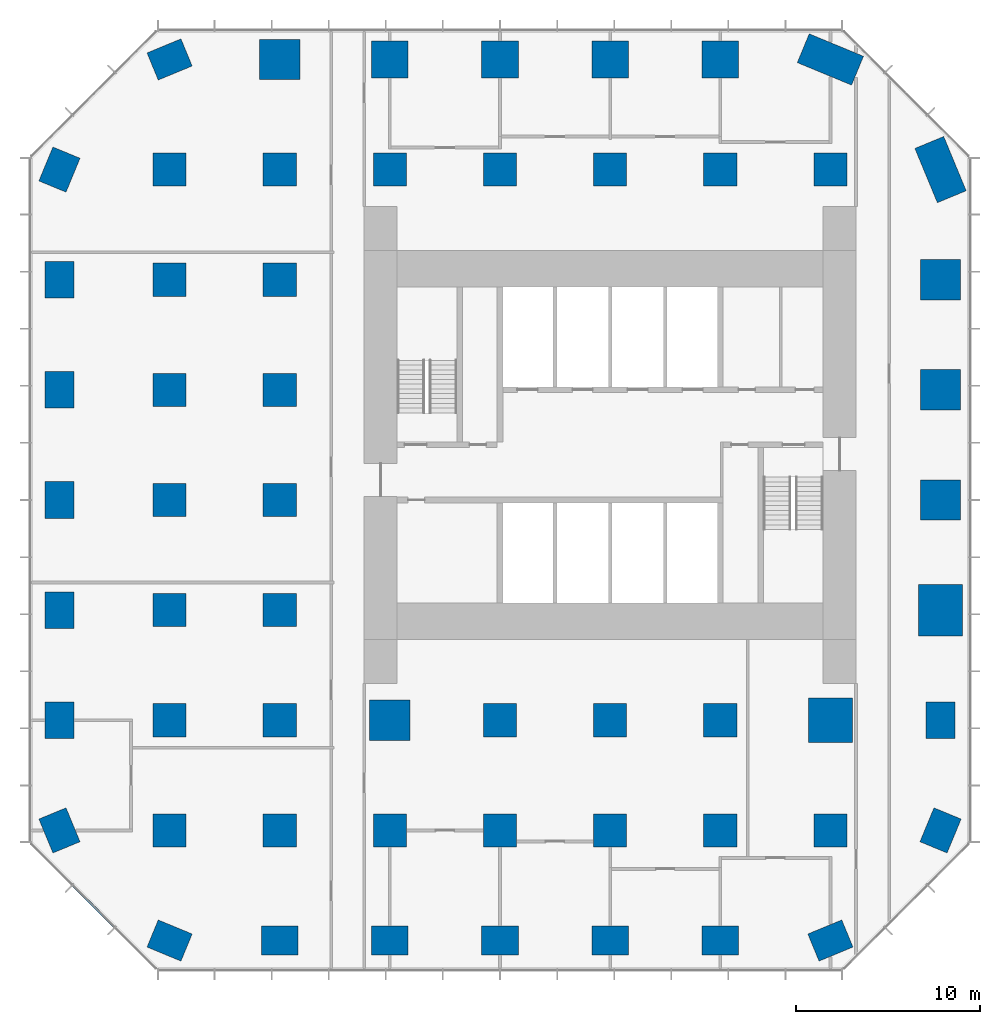
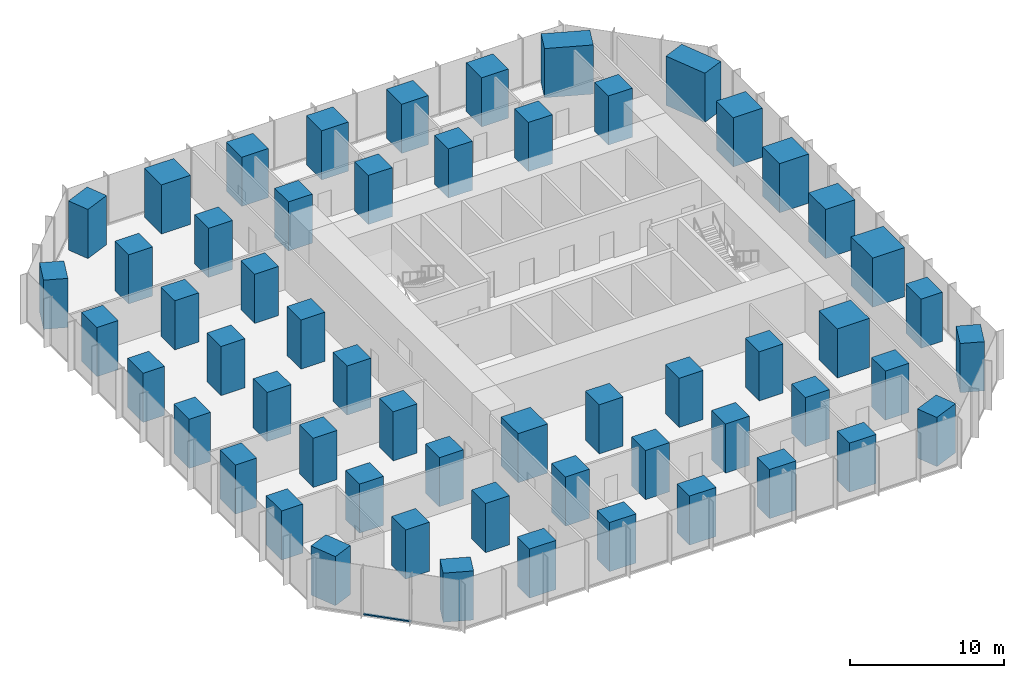
# One storey, part 1 of 11: 57 columns, 1 member, 1 element without a shape of its own.
"""IFC4 building model written with IfcOpenShell, lengths in metres."""

from ifc_helpers import new_model, si_unit, direction, frame, origin, origin_2d, place, context, subcontext, project, spatial, rectangle, extrude, material, layer, layer_set, material_profile, profile_set, type_object, element, aggregate, save


model = new_model("IFC4")

# Units and contexts
model_context = context("Model", 3, precision=1e-05, world=origin(), true_north=direction((0.0, 1.0)))
body_context = subcontext(model_context, "Body", "Model", "MODEL_VIEW")
ifc_project = project(units=[si_unit("LENGTHUNIT", "METRE"), si_unit("AREAUNIT", "SQUARE_METRE"), si_unit("VOLUMEUNIT", "CUBIC_METRE"), si_unit("PLANEANGLEUNIT", "RADIAN"), si_unit("MASSUNIT", "GRAM", prefix="KILO")], contexts=[model_context])

# Site, building, storey
site_placement = place(None, origin())
site = spatial("IfcSite", under=ifc_project, at=site_placement, CompositionType="ELEMENT")
building_placement = place(site_placement, origin())
building = spatial("IfcBuilding", under=site, at=building_placement, Name="Highveld Stack Headquarters", CompositionType="ELEMENT")
storey_placement = place(building_placement, frame((0.0, 0.0, 33.800048828125)))
storey = spatial("IfcBuildingStorey", under=building, at=storey_placement, Name="L07", CompositionType="ELEMENT", Elevation=33.800048828125)

# Columns
ifc_material_1 = material(Name="Concrete C60/75", Category="concrete")
ifc_material_profile_1 = material_profile(ifc_material_1, rectangle(XDim=1.800048828125, YDim=1.800048828125, at=origin_2d()), Name="RC 1800x1800")
ifc_profile_set_1 = profile_set([ifc_material_profile_1], Name="Concrete C60/75")
column_type_1 = type_object("IfcColumnType", Name="COLUMN RC 1800x1800 C60/75", PredefinedType="COLUMN", material=ifc_profile_set_1)
for number, where, z_axis, x_axis, name in (
    (1, (-18.0, -18.0, 0.0), (0.0, 0.0, 1.0), (1.0, 0.0, 0.0), "Column 3/B L07"),
    (2, (-18.0, -12.0, 0.0), (0.0, 0.0, 1.0), (1.0, 0.0, 0.0), "Column 3/C L07"),
    (3, (-18.0, -6.0, 0.0), (0.0, 0.0, 1.0), (1.0, 0.0, 0.0), "Column 3/D L07"),
    (4, (-18.0, 0.0, 0.0), (0.0, 0.0, 1.0), (1.0, 0.0, 0.0), "Column 3/E L07"),
    (5, (-18.0, 6.0, 0.0), (0.0, 0.0, 1.0), (1.0, 0.0, 0.0), "Column 3/F L07"),
    (6, (-18.0, 12.0, 0.0), (0.0, 0.0, 1.0), (1.0, 0.0, 0.0), "Column 3/G L07"),
    (7, (-18.0, 18.0, 0.0), (0.0, 0.0, 1.0), (1.0, 0.0, 0.0), "Column 3/H L07"),
    (8, (-12.0, -18.0, 0.0), (0.0, 0.0, 1.0), (1.0, 0.0, 0.0), "Column 4/B L07"),
    (9, (-12.0, -12.0, 0.0), (0.0, 0.0, 1.0), (1.0, 0.0, 0.0), "Column 4/C L07"),
    (10, (-12.0, -6.0, 0.0), (0.0, 0.0, 1.0), (1.0, 0.0, 0.0), "Column 4/D L07"),
    (11, (-12.0, 0.0, 0.0), (0.0, 0.0, 1.0), (1.0, 0.0, 0.0), "Column 4/E L07"),
    (12, (-12.0, 6.0, 0.0), (0.0, 0.0, 1.0), (1.0, 0.0, 0.0), "Column 4/F L07"),
    (13, (-12.0, 12.0, 0.0), (0.0, 0.0, 1.0), (1.0, 0.0, 0.0), "Column 4/G L07"),
    (14, (-12.0, 18.0, 0.0), (0.0, 0.0, 1.0), (1.0, 0.0, 0.0), "Column 4/H L07"),
    (15, (-6.0, -18.0, 0.0), (0.0, 0.0, 1.0), (1.0, 0.0, 0.0), "Column 5/B L07"),
    (16, (-6.0, 18.0, 0.0), (0.0, 0.0, 1.0), (1.0, 0.0, 0.0), "Column 5/H L07"),
    (17, (0.0, -18.0, 0.0), (0.0, 0.0, 1.0), (1.0, 0.0, 0.0), "Column 6/B L07"),
    (18, (0.0, -12.0, 0.0), (0.0, 0.0, 1.0), (1.0, 0.0, 0.0), "Column 6/C L07"),
    (19, (0.0, 18.0, 0.0), (0.0, 0.0, 1.0), (1.0, 0.0, 0.0), "Column 6/H L07"),
    (20, (6.0, -18.0, 0.0), (0.0, 0.0, 1.0), (1.0, 0.0, 0.0), "Column 7/B L07"),
    (21, (6.0, -12.0, 0.0), (0.0, 0.0, 1.0), (1.0, 0.0, 0.0), "Column 7/C L07"),
    (22, (6.0, 18.0, 0.0), (0.0, 0.0, 1.0), (1.0, 0.0, 0.0), "Column 7/H L07"),
    (23, (12.0, -18.0, 0.0), (0.0, 0.0, 1.0), (1.0, 0.0, 0.0), "Column 8/B L07"),
    (24, (12.0, -12.0, 0.0), (0.0, 0.0, 1.0), (1.0, 0.0, 0.0), "Column 8/C L07"),
    (25, (12.0, 18.0, 0.0), (0.0, 0.0, 1.0), (1.0, 0.0, 0.0), "Column 8/H L07"),
    (26, (18.0, -18.0, 0.0), (0.0, 0.0, 1.0), (1.0, 0.0, 0.0), "Column 9/B L07"),
    (27, (18.0, 18.0, 0.0), (0.0, 0.0, 1.0), (1.0, 0.0, 0.0), "Column 9/H L07"),
):
    element("IfcColumn", number, at=place(storey_placement, frame(where, z_axis=z_axis, x_axis=x_axis)), inside=storey, type_object=column_type_1, Name=name, PredefinedType="COLUMN", context=body_context, shape_type="SweptSolid", body=[
        extrude(rectangle(XDim=1.800048828125, YDim=1.800048828125, at=origin_2d()), origin(), (0.0, 0.0, 1.0), 3.89990234375),
    ])
ifc_material_2 = material(Name="Concrete C60/75", Category="concrete")
ifc_material_profile_2 = material_profile(ifc_material_2, rectangle(XDim=2.0, YDim=1.60009765625, at=origin_2d()), Name="RC 2000x1600")
ifc_profile_set_2 = profile_set([ifc_material_profile_2], Name="Concrete C60/75")
column_type_2 = type_object("IfcColumnType", Name="COLUMN RC 2000x1600 C60/75", PredefinedType="COLUMN", material=ifc_profile_set_2)
for number, where, z_axis, x_axis, name in (
    (28, (-24.0, -18.0, 0.0), (0.0, 0.0, 1.0), (-0.382683432365, 0.923879532511, 0.0), "Column 2/B L07"),
    (29, (-24.0, -12.0, 0.0), (0.0, 0.0, 1.0), (0.0, 1.0, 0.0), "Column 2/C L07"),
    (30, (-24.0, -6.0, 0.0), (0.0, 0.0, 1.0), (0.0, 1.0, 0.0), "Column 2/D L07"),
    (31, (-24.0, 0.0, 0.0), (0.0, 0.0, 1.0), (0.0, 1.0, 0.0), "Column 2/E L07"),
    (32, (-24.0, 6.0, 0.0), (0.0, 0.0, 1.0), (0.0, 1.0, 0.0), "Column 2/F L07"),
    (33, (-24.0, 12.0, 0.0), (0.0, 0.0, 1.0), (0.0, 1.0, 0.0), "Column 2/G L07"),
    (34, (-24.0, 18.0, 0.0), (0.0, 0.0, 1.0), (0.382683432365, 0.923879532511, 0.0), "Column 2/H L07"),
    (35, (-18.0, -24.0, 0.0), (0.0, 0.0, 1.0), (-0.923879532511, 0.382683432365, 0.0), "Column 3/A L07"),
    (36, (-18.0, 24.0, 0.0), (0.0, 0.0, 1.0), (0.923879532511, 0.382683432365, 0.0), "Column 3/J L07"),
    (37, (-12.0, -24.0, 0.0), (0.0, 0.0, 1.0), (1.0, 0.0, 0.0), "Column 4/A L07"),
    (38, (-6.0, -24.0, 0.0), (0.0, 0.0, 1.0), (1.0, 0.0, 0.0), "Column 5/A L07"),
    (39, (0.0, -24.0, 0.0), (0.0, 0.0, 1.0), (1.0, 0.0, 0.0), "Column 6/A L07"),
    (40, (6.0, -24.0, 0.0), (0.0, 0.0, 1.0), (1.0, 0.0, 0.0), "Column 7/A L07"),
    (41, (12.0, -24.0, 0.0), (0.0, 0.0, 1.0), (1.0, 0.0, 0.0), "Column 8/A L07"),
    (42, (18.0, -24.0, 0.0), (0.0, 0.0, 1.0), (-0.923879532511, -0.382683432365, 0.0), "Column 9/A L07"),
    (43, (24.0, -18.0, 0.0), (0.0, 0.0, 1.0), (-0.382683432365, -0.923879532511, 0.0), "Column 10/B L07"),
    (44, (24.0, -12.0, 0.0), (0.0, 0.0, 1.0), (0.0, 1.0, 0.0), "Column 10/C L07"),
):
    element("IfcColumn", number, at=place(storey_placement, frame(where, z_axis=z_axis, x_axis=x_axis)), inside=storey, type_object=column_type_2, Name=name, PredefinedType="COLUMN", context=body_context, shape_type="SweptSolid", body=[
        extrude(rectangle(XDim=2.0, YDim=1.60009765625, at=origin_2d()), origin(), (0.0, 0.0, 1.0), 3.89990234375),
    ])
ifc_material_3 = material(Name="Concrete C60/75", Category="concrete")
ifc_material_profile_3 = material_profile(ifc_material_3, rectangle(XDim=2.0, YDim=2.0, at=origin_2d()), Name="RC 2000x2000")
ifc_profile_set_3 = profile_set([ifc_material_profile_3], Name="Concrete C60/75")
column_type_3 = type_object("IfcColumnType", Name="COLUMN RC 2000x2000 C60/75", PredefinedType="COLUMN", material=ifc_profile_set_3)
for number, where, z_axis, x_axis, name in (
    (45, (-6.0, 24.0, 0.0), (0.0, 0.0, 1.0), (1.0, 0.0, 0.0), "Column 5/J L07"),
    (46, (0.0, 24.0, 0.0), (0.0, 0.0, 1.0), (1.0, 0.0, 0.0), "Column 6/J L07"),
    (47, (6.0, 24.0, 0.0), (0.0, 0.0, 1.0), (1.0, 0.0, 0.0), "Column 7/J L07"),
    (48, (12.0, 24.0, 0.0), (0.0, 0.0, 1.0), (1.0, 0.0, 0.0), "Column 8/J L07"),
):
    element("IfcColumn", number, at=place(storey_placement, frame(where, z_axis=z_axis, x_axis=x_axis)), inside=storey, type_object=column_type_3, Name=name, PredefinedType="COLUMN", context=body_context, shape_type="SweptSolid", body=[
        extrude(rectangle(XDim=2.0, YDim=2.0, at=origin_2d()), origin(), (0.0, 0.0, 1.0), 3.89990234375),
    ])
ifc_material_4 = material(Name="Concrete C60/75", Category="concrete")
ifc_material_profile_4 = material_profile(ifc_material_4, rectangle(XDim=2.199951171875, YDim=2.199951171875, at=origin_2d()), Name="RC 2200x2200")
ifc_profile_set_4 = profile_set([ifc_material_profile_4], Name="Concrete C60/75")
column_type_4 = type_object("IfcColumnType", Name="COLUMN RC 2200x2200 C60/75", PredefinedType="COLUMN", material=ifc_profile_set_4)
for number, where, z_axis, x_axis, name in (
    (49, (-12.0, 24.0, 0.0), (0.0, 0.0, 1.0), (1.0, 0.0, 0.0), "Column 4/J L07"),
    (50, (-6.0, -12.0, 0.0), (0.0, 0.0, 1.0), (1.0, 0.0, 0.0), "Column 5/C L07"),
    (51, (24.0, 0.0, 0.0), (0.0, 0.0, 1.0), (1.0, 0.0, 0.0), "Column 10/E L07"),
    (52, (24.0, 6.0, 0.0), (0.0, 0.0, 1.0), (1.0, 0.0, 0.0), "Column 10/F L07"),
    (53, (24.0, 12.0, 0.0), (0.0, 0.0, 1.0), (1.0, 0.0, 0.0), "Column 10/G L07"),
):
    element("IfcColumn", number, at=place(storey_placement, frame(where, z_axis=z_axis, x_axis=x_axis)), inside=storey, type_object=column_type_4, Name=name, PredefinedType="COLUMN", context=body_context, shape_type="SweptSolid", body=[
        extrude(rectangle(XDim=2.199951171875, YDim=2.199951171875, at=origin_2d()), origin(), (0.0, 0.0, 1.0), 3.89990234375),
    ])
ifc_material_5 = material(Name="Concrete C60/75", Category="concrete")
ifc_material_profile_5 = material_profile(ifc_material_5, rectangle(XDim=2.39990234375, YDim=2.39990234375, at=origin_2d()), Name="RC 2400x2400")
ifc_profile_set_5 = profile_set([ifc_material_profile_5], Name="Concrete C60/75")
column_type_5 = type_object("IfcColumnType", Name="COLUMN RC 2400x2400 C60/75", PredefinedType="COLUMN", material=ifc_profile_set_5)
column_1_placement = place(storey_placement, frame((18.0, -12.0, 0.0), z_axis=(0.0, 0.0, 1.0), x_axis=(1.0, 0.0, 0.0)))
element("IfcColumn", 54, at=column_1_placement, inside=storey, type_object=column_type_5, Name="Column 9/C L07", PredefinedType="COLUMN", context=body_context, shape_type="SweptSolid", body=[
    extrude(rectangle(XDim=2.39990234375, YDim=2.39990234375, at=origin_2d()), origin(), (0.0, 0.0, 1.0), 3.89990234375),
])
ifc_material_6 = material(Name="Concrete C60/75", Category="concrete")
ifc_material_profile_6 = material_profile(ifc_material_6, rectangle(XDim=2.800048828125, YDim=2.39990234375, at=origin_2d()), Name="RC 2800x2400")
ifc_profile_set_6 = profile_set([ifc_material_profile_6], Name="Concrete C60/75")
column_type_6 = type_object("IfcColumnType", Name="COLUMN RC 2800x2400 C60/75", PredefinedType="COLUMN", material=ifc_profile_set_6)
column_2_placement = place(storey_placement, frame((24.0, -6.0, 0.0), z_axis=(0.0, 0.0, 1.0), x_axis=(0.0, 1.0, 0.0)))
element("IfcColumn", 55, at=column_2_placement, inside=storey, type_object=column_type_6, Name="Column 10/D L07", PredefinedType="COLUMN", context=body_context, shape_type="SweptSolid", body=[
    extrude(rectangle(XDim=2.800048828125, YDim=2.39990234375, at=origin_2d()), origin(), (0.0, 0.0, 1.0), 3.89990234375),
])
ifc_material_7 = material(Name="Concrete C60/75", Category="concrete")
ifc_material_profile_7 = material_profile(ifc_material_7, rectangle(XDim=3.199951171875, YDim=1.699951171875, at=origin_2d()), Name="RC 3200x1700")
ifc_profile_set_7 = profile_set([ifc_material_profile_7], Name="Concrete C60/75")
column_type_7 = type_object("IfcColumnType", Name="COLUMN RC 3200x1700 C60/75", PredefinedType="COLUMN", material=ifc_profile_set_7)
for number, where, z_axis, x_axis, name in (
    (56, (18.0, 24.0, 0.0), (0.0, 0.0, 1.0), (0.923879532511, -0.382683432365, 0.0), "Column 9/J L07"),
    (57, (24.0, 18.0, 0.0), (0.0, 0.0, 1.0), (0.382683432365, -0.923879532511, 0.0), "Column 10/H L07"),
):
    element("IfcColumn", number, at=place(storey_placement, frame(where, z_axis=z_axis, x_axis=x_axis)), inside=storey, type_object=column_type_7, Name=name, PredefinedType="COLUMN", context=body_context, shape_type="SweptSolid", body=[
        extrude(rectangle(XDim=3.199951171875, YDim=1.699951171875, at=origin_2d()), origin(), (0.0, 0.0, 1.0), 3.89990234375),
    ])

# Curtain wall, member
ifc_material_8 = material(Name="Aluminium bronze anodised", Category="aluminium")
ifc_layer = layer(ifc_material_8, 0.199951171875)
ifc_layer_set = layer_set([ifc_layer], Name="Aluminium bronze anodised")
curtain_wall_type = type_object("IfcCurtainWallType", Name="CW2 TOWER CHAMFER UNITISED CURTAIN WALL", PredefinedType="NOTDEFINED", material=ifc_layer_set)
curtain_wall_placement = place(storey_placement, origin())
curtain_wall = element("IfcCurtainWall", 58, at=curtain_wall_placement, inside=storey, type_object=curtain_wall_type, Name="Curtain wall CW2 L07 SW", PredefinedType="NOTDEFINED")
ifc_material_9 = material(Name="Aluminium bronze anodised", Category="aluminium")
ifc_material_profile_8 = material_profile(ifc_material_9, rectangle(XDim=0.14990234375, YDim=0.10009765625, at=origin_2d()), Name="CW2 TRANSOM 150x100")
ifc_profile_set_8 = profile_set([ifc_material_profile_8], Name="Aluminium bronze anodised")
member_type = type_object("IfcMemberType", Name="CW2 STACK TRANSOM 150x100", PredefinedType="USERDEFINED", material=ifc_profile_set_8)
member_placement = place(storey_placement, frame((-23.2646484375, -20.998046875, 0.050048828125), z_axis=(0.707106781187, -0.707106781187, 0.0), x_axis=(0.707106781187, 0.707106781187, 0.0)))
member = element("IfcMember", 59, at=member_placement, type_object=member_type, Name="CW2 transom L07 2.1", ObjectType="TRANSOM", PredefinedType="USERDEFINED", context=body_context, shape_type="SweptSolid", body=[
    extrude(rectangle(XDim=0.14990234375, YDim=0.10009765625, at=origin_2d()), origin(), (0.0, 0.0, 1.0), 3.20556640625),
])
aggregate(curtain_wall, [member])

save(model, "model.ifc")
